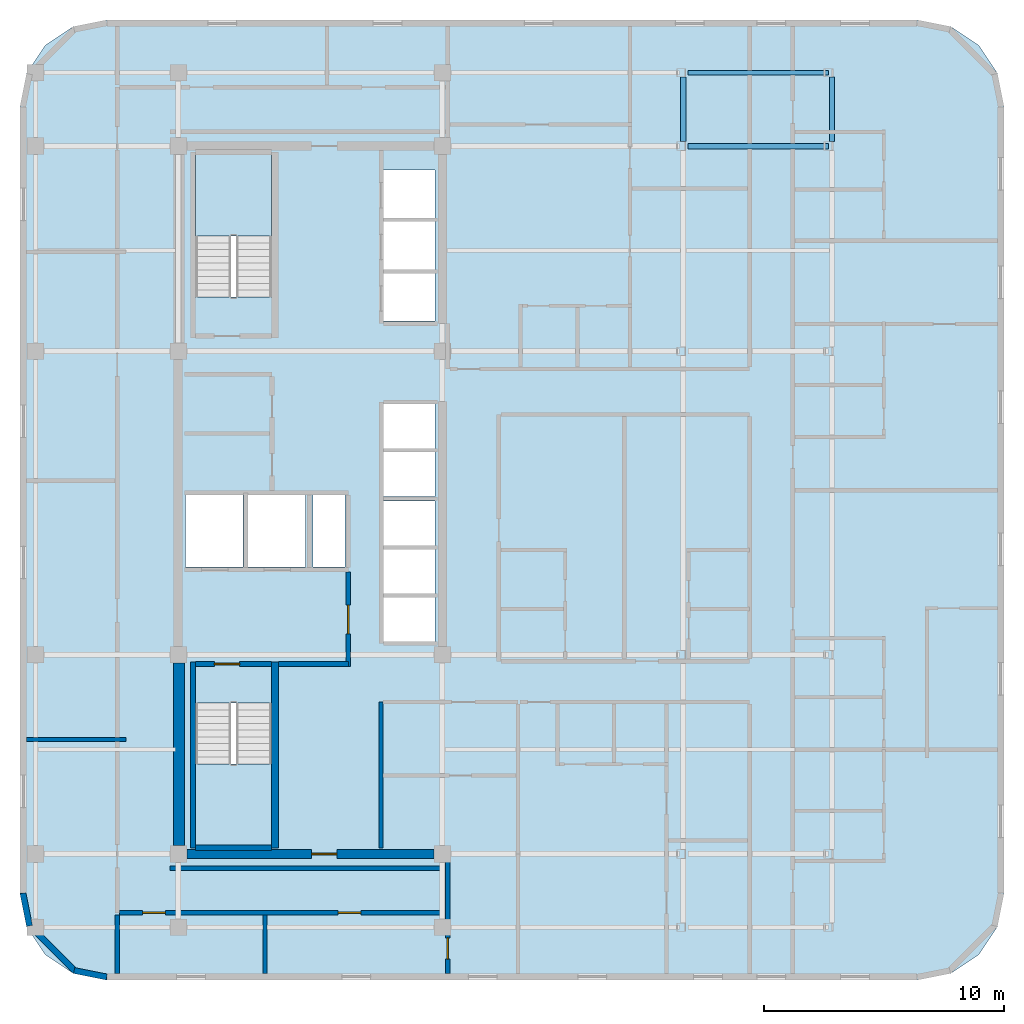
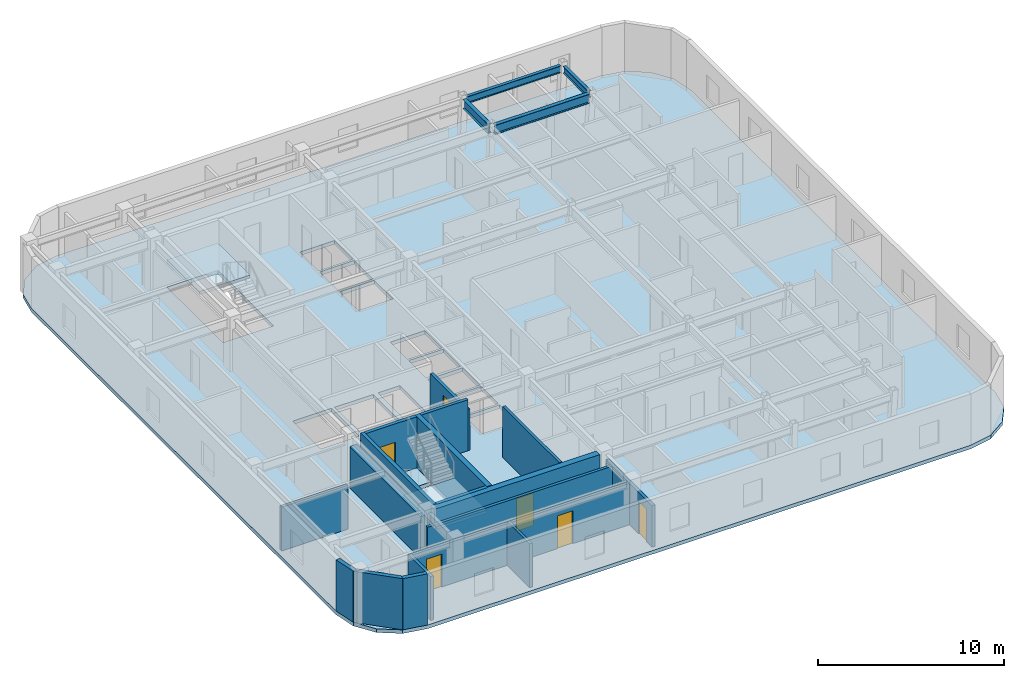
# One storey, part 2 of 8: 18 walls, 6 doors, 4 beams, 3 slabs, 6 openings, 2 elements without a shape of their own.
"""IFC4 building model written with IfcOpenShell, lengths in metres."""

from ifc_helpers import new_model, si_unit, direction, frame, frame_2d, origin, origin_2d, place, context, subcontext, project, spatial, polyline, rectangle, i_section, outline, extrude, material, layer, layer_set, material_profile, profile_set, type_object, element, fill, aggregate, save


model = new_model("IFC4")

# Units and contexts
model_context = context("Model", 3, precision=1e-05, world=origin(), true_north=direction((0.0, 1.0)))
body_context = subcontext(model_context, "Body", "Model", "MODEL_VIEW")
ifc_project = project(units=[si_unit("LENGTHUNIT", "METRE"), si_unit("AREAUNIT", "SQUARE_METRE"), si_unit("VOLUMEUNIT", "CUBIC_METRE"), si_unit("PLANEANGLEUNIT", "RADIAN"), si_unit("MASSUNIT", "GRAM", prefix="KILO")], contexts=[model_context])

# Site, building, storey
site_placement = place(None, origin())
site = spatial("IfcSite", under=ifc_project, at=site_placement, CompositionType="ELEMENT")
building_placement = place(site_placement, origin())
building = spatial("IfcBuilding", under=site, at=building_placement, Name="Ochreholt Gables", CompositionType="ELEMENT")
storey_placement = place(building_placement, frame((0.0, 0.0, 148.199951171875)))
storey = spatial("IfcBuildingStorey", under=building, at=storey_placement, Name="L38", CompositionType="ELEMENT", Elevation=148.199951171875)

# Beams
ifc_material_1 = material(Name="Steel CSA G40.21 350W", Category="steel")
ifc_material_profile_1 = material_profile(ifc_material_1, i_section(OverallWidth=0.22900390625, OverallDepth=0.612060546875, WebThickness=0.011962890625, FlangeThickness=0.01953125, at=origin_2d()), Name="W610X125")
ifc_profile_set_1 = profile_set([ifc_material_profile_1], Name="Steel CSA G40.21 350W")
beam_type_1 = type_object("IfcBeamType", Name="BM-G-W610B", PredefinedType="BEAM", material=ifc_profile_set_1)
beam_1_placement = place(storey_placement, frame((45.426513671875, 38.75, 3.053955078125), z_axis=(1.0, 0.0, 0.0), x_axis=(0.0, 1.0, 0.0)))
element("IfcBeam", 1, at=beam_1_placement, inside=storey, type_object=beam_type_1, Name="L38 Beam TBG-L38-EMEE-Y5", PredefinedType="BEAM", context=body_context, shape_type="SweptSolid", body=[
    extrude(i_section(OverallWidth=0.22900390625, OverallDepth=0.612060546875, WebThickness=0.011962890625, FlangeThickness=0.01953125, at=origin_2d()), origin(), (0.0, 0.0, 1.0), 5.857177734375),
])
beam_2_placement = place(storey_placement, frame((45.23193359375, 38.927490234375, 3.053955078125), z_axis=(0.0, 1.0, 0.0), x_axis=(-1.0, 0.0, 0.0)))
element("IfcBeam", 2, at=beam_2_placement, inside=storey, type_object=beam_type_1, Name="L38 Beam TBN-L38-EM-Y5Y6", PredefinedType="BEAM", context=body_context, shape_type="SweptSolid", body=[
    extrude(i_section(OverallWidth=0.22900390625, OverallDepth=0.612060546875, WebThickness=0.011962890625, FlangeThickness=0.01953125, at=origin_2d()), origin(), (0.0, 0.0, 1.0), 2.69482421875),
])
ifc_material_profile_2 = material_profile(ifc_material_1, i_section(OverallWidth=0.19189453125, OverallDepth=0.462890625, WebThickness=0.010498046875, FlangeThickness=0.017578125, at=origin_2d()), Name="W460X89")
ifc_profile_set_2 = profile_set([ifc_material_profile_2], Name="Steel CSA G40.21 350W")
beam_type_2 = type_object("IfcBeamType", Name="BM-SP-W460A", PredefinedType="SPANDREL", material=ifc_profile_set_2)
beam_3_placement = place(storey_placement, frame((45.426513671875, 41.800048828125, 3.128662109375), z_axis=(1.0, 0.0, 0.0), x_axis=(0.0, 1.0, 0.0)))
element("IfcBeam", 3, at=beam_3_placement, inside=storey, type_object=beam_type_2, Name="L38 Beam TBG-L38-EMEE-Y6", PredefinedType="SPANDREL", context=body_context, shape_type="SweptSolid", body=[
    extrude(i_section(OverallWidth=0.19189453125, OverallDepth=0.462890625, WebThickness=0.010498046875, FlangeThickness=0.017578125, at=origin_2d()), origin(), (0.0, 0.0, 1.0), 5.857177734375),
])
beam_4_placement = place(storey_placement, frame((51.432861328125, 38.927490234375, 3.128662109375), z_axis=(0.0, 1.0, 0.0), x_axis=(-1.0, 0.0, 0.0)))
element("IfcBeam", 4, at=beam_4_placement, inside=storey, type_object=beam_type_2, Name="L38 Beam TBN-L38-EE-Y5Y6", PredefinedType="SPANDREL", context=body_context, shape_type="SweptSolid", body=[
    extrude(i_section(OverallWidth=0.19189453125, OverallDepth=0.462890625, WebThickness=0.010498046875, FlangeThickness=0.017578125, at=origin_2d()), origin(), (0.0, 0.0, 1.0), 2.69482421875),
])

# Stair, slab
ifc_material_2 = material(Name="Concrete 40 MPa", Category="concrete")
stair_type_1 = type_object("IfcStairType", Name="STAIR-CORE-ST-1", PredefinedType="HALF_TURN_STAIR", material=ifc_material_2)
stair_1_placement = place(storey_placement, origin())
stair_1 = element("IfcStair", 5, at=stair_1_placement, inside=storey, type_object=stair_type_1, Name="L38 Core Exit Stair 1", PredefinedType="HALF_TURN_STAIR")
ifc_layer_1 = layer(ifc_material_2, 0.199951171875, Name="Concrete 40 MPa")
ifc_layer_set_1 = layer_set([ifc_layer_1], Name="Concrete 40 MPa")
slab_type_1 = type_object("IfcSlabType", Name="LANDING-RC200", PredefinedType="LANDING", material=ifc_layer_set_1)
slab_1_placement = place(storey_placement, frame((0.0, 0.0, 1.60009765625)))
slab_1 = element("IfcSlab", 6, at=slab_1_placement, type_object=slab_type_1, Name="ST-1 landing 1", PredefinedType="LANDING", context=body_context, shape_type="SweptSolid", body=[
    extrude(outline(polyline([(24.919921875, 13.001953125), (24.919921875, 9.52001953125), (28.080078125, 9.52001953125), (28.080078125, 13.001953125), (24.919921875, 13.001953125)])), origin(), (0.0, 0.0, 1.0), 0.199951171875),
])
aggregate(stair_1, [slab_1])

stair_type_2 = type_object("IfcStairType", Name="STAIR-CORE-ST-2", PredefinedType="HALF_TURN_STAIR", material=ifc_material_2)
stair_2_placement = place(storey_placement, origin())
stair_2 = element("IfcStair", 7, at=stair_2_placement, inside=storey, type_object=stair_type_2, Name="L38 Core Exit Stair 2", PredefinedType="HALF_TURN_STAIR")
slab_2_placement = place(storey_placement, frame((0.0, 0.0, 1.60009765625)))
slab_2 = element("IfcSlab", 8, at=slab_2_placement, type_object=slab_type_1, Name="ST-2 landing 1", PredefinedType="LANDING", context=body_context, shape_type="SweptSolid", body=[
    extrude(outline(polyline([(28.080078125, 34.998046875), (28.080078125, 38.47998046875), (24.919921875, 38.47998046875), (24.919921875, 34.998046875), (28.080078125, 34.998046875)])), origin(), (0.0, 0.0, 1.0), 0.199951171875),
])
aggregate(stair_2, [slab_2])

# Slab
ifc_layer_2 = layer(ifc_material_2, 0.239990234375, Name="Concrete 40 MPa")
ifc_layer_set_2 = layer_set([ifc_layer_2], Name="Concrete 40 MPa")
slab_type_2 = type_object("IfcSlabType", Name="SLAB-TWR-240", PredefinedType="FLOOR", material=ifc_layer_set_2)
slab_3_placement = place(storey_placement, frame((0.0, 0.0, -0.239990234375)))
element("IfcSlab", 9, at=slab_3_placement, inside=storey, type_object=slab_type_2, Name="L38 Structural Floor Slab", PredefinedType="FLOOR", context=body_context, shape_type="SweptSolid", body=[
    extrude(outline(polyline([(17.60009765625, 7.60009765625), (17.8740234375, 6.222412109375), (18.654296875, 5.054443359375), (19.822265625, 4.27392578125), (21.199951171875, 4.0), (55.0, 4.0), (56.377685546875, 4.27392578125), (57.545654296875, 5.054443359375), (58.325927734375, 6.222412109375), (58.60009765625, 7.60009765625), (58.60009765625, 40.39990234375), (58.325927734375, 41.777587890625), (57.545654296875, 42.945556640625), (56.377685546875, 43.72607421875), (55.0, 44.0), (21.199951171875, 44.0), (19.822265625, 43.72607421875), (18.654296875, 42.945556640625), (17.8740234375, 41.777587890625), (17.60009765625, 40.39990234375), (17.60009765625, 7.60009765625)]), holes=[polyline([(24.919921875, 15.539306640625), (24.919921875, 9.52001953125), (28.080078125, 9.52001953125), (28.080078125, 15.539306640625), (24.919921875, 15.539306640625)]), polyline([(28.080078125, 32.460693359375), (28.080078125, 38.47998046875), (24.919921875, 38.47998046875), (24.919921875, 32.460693359375), (28.080078125, 32.460693359375)]), polyline([(24.5, 21.199951171875), (26.89990234375, 21.199951171875), (26.89990234375, 24.199951171875), (24.5, 24.199951171875), (24.5, 21.199951171875)]), polyline([(27.10009765625, 21.199951171875), (29.5, 21.199951171875), (29.5, 24.199951171875), (27.10009765625, 24.199951171875), (27.10009765625, 21.199951171875)]), polyline([(32.75, 18.10009765625), (34.89990234375, 18.10009765625), (34.89990234375, 19.949951171875), (32.75, 19.949951171875), (32.75, 18.10009765625)]), polyline([(32.75, 20.10009765625), (34.89990234375, 20.10009765625), (34.89990234375, 21.949951171875), (32.75, 21.949951171875), (32.75, 20.10009765625)]), polyline([(32.75, 22.10009765625), (34.89990234375, 22.10009765625), (34.89990234375, 23.949951171875), (32.75, 23.949951171875), (32.75, 22.10009765625)]), polyline([(32.75, 24.14990234375), (34.89990234375, 24.14990234375), (34.89990234375, 26.0), (32.75, 26.0), (32.75, 24.14990234375)]), polyline([(32.75, 26.14990234375), (34.89990234375, 26.14990234375), (34.89990234375, 28.0), (32.75, 28.0), (32.75, 26.14990234375)]), polyline([(32.75, 31.449951171875), (34.89990234375, 31.449951171875), (34.89990234375, 33.449951171875), (32.75, 33.449951171875), (32.75, 31.449951171875)]), polyline([(32.75, 33.60009765625), (34.89990234375, 33.60009765625), (34.89990234375, 35.60009765625), (32.75, 35.60009765625), (32.75, 33.60009765625)]), polyline([(32.75, 35.75), (34.89990234375, 35.75), (34.89990234375, 37.75), (32.75, 37.75), (32.75, 35.75)]), polyline([(29.800048828125, 21.199951171875), (31.14990234375, 21.199951171875), (31.14990234375, 24.199951171875), (29.800048828125, 24.199951171875), (29.800048828125, 21.199951171875)])]), origin(), (0.0, 0.0, 1.0), 0.239990234375),
])

# Wall, opening, door
ifc_material_3 = material(Name="Concrete 50 MPa", Category="concrete")
ifc_layer_3 = layer(ifc_material_3, 0.3798828125, Name="Concrete 50 MPa")
ifc_layer_set_3 = layer_set([ifc_layer_3], Name="Concrete 50 MPa")
wall_type_1 = type_object("IfcWallType", Name="WALL-CSW-380", PredefinedType="SHEAR", material=ifc_layer_set_3)
wall_1_placement = place(storey_placement, frame((24.550048828125, 9.25, 0.0), z_axis=(0.0, 0.0, 1.0), x_axis=(1.0, 0.0, 0.0)))
wall_1 = element("IfcWall", 10, at=wall_1_placement, inside=storey, type_object=wall_type_1, Name="L38 Core South Shear Wall", PredefinedType="SHEAR", context=body_context, shape_type="SweptSolid", body=[
    extrude(rectangle(XDim=10.300048828125, YDim=0.3798828125, at=frame_2d((5.14990234375, 0.0))), origin(), (0.0, 0.0, 1.0), 3.360107421875),
])
opening_1_placement = place(wall_1_placement, frame((5.199951171875, 0.0, 0.0)))
opening_1 = element("IfcOpeningElement", 11, at=opening_1_placement, cuts=wall_1, Name="Opening D-FLB", PredefinedType="OPENING", context=body_context, shape_type="SweptSolid", body=[
    extrude(rectangle(XDim=1.050048828125, YDim=2.14990234375, at=frame_2d((0.52490234375, 1.074951171875))), frame((0.0, 0.199951171875, 0.0), z_axis=(0.0, -1.0, 0.0), x_axis=(1.0, 0.0, 0.0)), (0.0, 0.0, 1.0), 0.39990234375),
])
ifc_material_4 = material(Name="Hollow Metal Steel", Category="steel")
door_type_1 = type_object("IfcDoorType", Name="DR-INT-FLB1050", OperationType="NOTDEFINED", PredefinedType="DOOR", material=ifc_material_4)
door_1_placement = place(opening_1_placement, origin())
door_1 = element("IfcDoor", 12, at=door_1_placement, inside=storey, type_object=door_type_1, Name="L38 Door D-C2CRS-L38", OperationType="SINGLE_SWING_LEFT", OverallHeight=2.14990234375, OverallWidth=1.050048828125, PredefinedType="DOOR", context=body_context, shape_type="SweptSolid", body=[
    extrude(rectangle(XDim=1.050048828125, YDim=2.14990234375, at=frame_2d((0.52490234375, 1.074951171875))), frame((0.0, 0.02490234375, 0.0), z_axis=(0.0, -1.0, 0.0), x_axis=(1.0, 0.0, 0.0)), (0.0, 0.0, 1.0), 0.050048828125),
])
fill(opening_1, door_1)

# Walls
ifc_material_5 = material(Name="Concrete 60 MPa", Category="concrete")
ifc_layer_4 = layer(ifc_material_5, 0.449951171875, Name="Concrete 60 MPa")
ifc_layer_set_4 = layer_set([ifc_layer_4], Name="Concrete 60 MPa")
wall_type_2 = type_object("IfcWallType", Name="WALL-CSW-450", PredefinedType="SHEAR", material=ifc_layer_set_4)
wall_2_placement = place(storey_placement, frame((24.22509765625, 9.60009765625, 0.0), z_axis=(0.0, 0.0, 1.0), x_axis=(0.0, 1.0, 0.0)))
element("IfcWall", 13, at=wall_2_placement, inside=storey, type_object=wall_type_2, Name="L38 Core West Shear Wall WS", PredefinedType="SHEAR", context=body_context, shape_type="SweptSolid", body=[
    extrude(rectangle(XDim=7.599853515625, YDim=0.449951171875, at=frame_2d((3.7998046875, 0.0))), origin(), (0.0, 0.0, 1.0), 2.748046875),
])
ifc_material_6 = material(Name="Precast concrete 40 MPa", Category="concrete")
ifc_layer_5 = layer(ifc_material_6, 0.25, Name="Precast concrete 40 MPa")
ifc_layer_set_5 = layer_set([ifc_layer_5], Name="Precast concrete 40 MPa")
wall_type_3 = type_object("IfcWallType", Name="WALL-EXT-CNR", PredefinedType="SOLIDWALL", material=ifc_layer_set_5)
wall_3_placement = place(storey_placement, frame((17.72412109375, 7.616455078125, 0.0), z_axis=(0.0, 0.0, 1.0), x_axis=(0.195135625965, -0.9807762678, 0.0)))
element("IfcWall", 14, at=wall_3_placement, inside=storey, type_object=wall_type_3, Name="L38 Rounded Corner Wall SW-1", PredefinedType="SOLIDWALL", context=body_context, shape_type="SweptSolid", body=[
    extrude(rectangle(XDim=1.388671875, YDim=0.25, at=frame_2d((0.6943359375, 0.0))), origin(), (0.0, 0.0, 1.0), 3.360107421875),
])
wall_4_placement = place(storey_placement, frame((17.968017578125, 6.304931640625, 0.0), z_axis=(0.0, 0.0, 1.0), x_axis=(0.707106781187, -0.707106781187, 0.0)))
element("IfcWall", 15, at=wall_4_placement, inside=storey, type_object=wall_type_3, Name="L38 Rounded Corner Wall SW-2", PredefinedType="SOLIDWALL", context=body_context, shape_type="SweptSolid", body=[
    extrude(rectangle(XDim=2.7392578125, YDim=0.25, at=frame_2d((1.36962890625, 0.0))), origin(), (0.0, 0.0, 1.0), 3.360107421875),
])
wall_5_placement = place(storey_placement, frame((19.8544921875, 4.39501953125, 0.0), z_axis=(0.0, 0.0, 1.0), x_axis=(0.980809899341, -0.19496651342, 0.0)))
element("IfcWall", 16, at=wall_5_placement, inside=storey, type_object=wall_type_3, Name="L38 Rounded Corner Wall SW-3", PredefinedType="SOLIDWALL", context=body_context, shape_type="SweptSolid", body=[
    extrude(rectangle(XDim=1.388671875, YDim=0.25, at=frame_2d((0.6943359375, 0.0))), origin(), (0.0, 0.0, 1.0), 3.360107421875),
])
ifc_layer_6 = layer(ifc_material_2, 0.199951171875, Name="Concrete 40 MPa")
ifc_layer_set_6 = layer_set([ifc_layer_6], Name="Concrete 40 MPa")
wall_type_4 = type_object("IfcWallType", Name="WALL-INT-CF200", PredefinedType="STANDARD", material=ifc_layer_set_6)
wall_6_placement = place(storey_placement, frame((28.3798828125, 17.169921875, 0.0), z_axis=(0.0, 0.0, 1.0), x_axis=(1.0, 0.0, 0.0)))
element("IfcWall", 17, at=wall_6_placement, inside=storey, type_object=wall_type_4, Name="L38 Interior Wall WI-FFS-L38", PredefinedType="STANDARD", context=body_context, shape_type="SweptSolid", body=[
    extrude(rectangle(XDim=2.900146484375, YDim=0.199951171875, at=frame_2d((1.4501953125, 0.0))), origin(), (0.0, 0.0, 1.0), 3.360107421875),
])

# Wall, opening, door
wall_7_placement = place(storey_placement, frame((31.280029296875, 17.070068359375, 0.0), z_axis=(0.0, 0.0, 1.0), x_axis=(0.0, 1.0, 0.0)))
wall_7 = element("IfcWall", 18, at=wall_7_placement, inside=storey, type_object=wall_type_4, Name="L38 Interior Wall WI-FFE-L38", PredefinedType="STANDARD", context=body_context, shape_type="SweptSolid", body=[
    extrude(rectangle(XDim=3.919921875, YDim=0.199951171875, at=frame_2d((1.9599609375, 0.0))), origin(), (0.0, 0.0, 1.0), 2.72998046875),
])
opening_2_placement = place(wall_7_placement, frame((1.35009765625, 0.0, 0.0)))
opening_2 = element("IfcOpeningElement", 19, at=opening_2_placement, cuts=wall_7, Name="Opening D-FFL", PredefinedType="OPENING", context=body_context, shape_type="SweptSolid", body=[
    extrude(rectangle(XDim=1.199951171875, YDim=2.14990234375, at=frame_2d((0.60009765625, 1.074951171875))), frame((0.0, 0.10986328125, 0.0), z_axis=(0.0, -1.0, 0.0), x_axis=(1.0, 0.0, 0.0)), (0.0, 0.0, 1.0), 0.219970703125),
])
door_type_2 = type_object("IfcDoorType", Name="DR-INT-FFL1200", OperationType="NOTDEFINED", PredefinedType="DOOR", material=ifc_material_4)
door_2_placement = place(opening_2_placement, origin())
door_2 = element("IfcDoor", 20, at=door_2_placement, inside=storey, type_object=door_type_2, Name="L38 Door D-FFL-L38", OperationType="SINGLE_SWING_LEFT", OverallHeight=2.14990234375, OverallWidth=1.199951171875, PredefinedType="DOOR", context=body_context, shape_type="SweptSolid", body=[
    extrude(rectangle(XDim=1.199951171875, YDim=2.14990234375, at=frame_2d((0.60009765625, 1.074951171875))), frame((0.0, 0.02490234375, 0.0), z_axis=(0.0, -1.0, 0.0), x_axis=(1.0, 0.0, 0.0)), (0.0, 0.0, 1.0), 0.050048828125),
])
fill(opening_2, door_2)

# Wall, openings, doors
ifc_material_7 = material(Name="Fire-Rated Gypsum Acoustic Partition", Category="gypsum")
ifc_layer_7 = layer(ifc_material_7, 0.179931640625, Name="Fire-Rated Gypsum Acoustic Partition")
ifc_layer_set_7 = layer_set([ifc_layer_7], Name="Fire-Rated Gypsum Acoustic Partition")
wall_type_5 = type_object("IfcWallType", Name="WALL-INT-CR180", PredefinedType="STANDARD", material=ifc_layer_set_7)
wall_8_placement = place(storey_placement, frame((21.739990234375, 6.800048828125, 0.0), z_axis=(0.0, 0.0, 1.0), x_axis=(1.0, 0.0, 0.0)))
wall_8 = element("IfcWall", 21, at=wall_8_placement, inside=storey, type_object=wall_type_5, Name="L38 Interior Wall WI-C2WCS-L38", PredefinedType="STANDARD", context=body_context, shape_type="SweptSolid", body=[
    extrude(rectangle(XDim=13.679931640625, YDim=0.179931640625, at=frame_2d((6.83984375, 0.0))), origin(), (0.0, 0.0, 1.0), 2.72998046875),
])
opening_3_placement = place(wall_8_placement, frame((0.969970703125, 0.0, 0.0)))
opening_3 = element("IfcOpeningElement", 22, at=opening_3_placement, cuts=wall_8, Name="Opening D-GN1", PredefinedType="OPENING", context=body_context, shape_type="SweptSolid", body=[
    extrude(rectangle(XDim=0.949951171875, YDim=2.14990234375, at=frame_2d((0.47509765625, 1.074951171875))), frame((0.0, 0.099853515625, 0.0), z_axis=(0.0, -1.0, 0.0), x_axis=(1.0, 0.0, 0.0)), (0.0, 0.0, 1.0), 0.199951171875),
])
opening_4_placement = place(wall_8_placement, frame((9.110107421875, 0.0, 0.0)))
opening_4 = element("IfcOpeningElement", 23, at=opening_4_placement, cuts=wall_8, Name="Opening D-GN1", PredefinedType="OPENING", context=body_context, shape_type="SweptSolid", body=[
    extrude(rectangle(XDim=0.949951171875, YDim=2.14990234375, at=frame_2d((0.47509765625, 1.074951171875))), frame((0.0, 0.099853515625, 0.0), z_axis=(0.0, -1.0, 0.0), x_axis=(1.0, 0.0, 0.0)), (0.0, 0.0, 1.0), 0.199951171875),
])
ifc_material_8 = material(Name="Engineered Oak Timber", Category="wood")
door_type_3 = type_object("IfcDoorType", Name="DR-INT-GEN950", OperationType="NOTDEFINED", PredefinedType="DOOR", material=ifc_material_8)
door_3_placement = place(opening_3_placement, origin())
door_3 = element("IfcDoor", 24, at=door_3_placement, inside=storey, type_object=door_type_3, Name="L38 Door D-C2STL1-L38", OperationType="SINGLE_SWING_LEFT", OverallHeight=2.14990234375, OverallWidth=0.949951171875, PredefinedType="DOOR", context=body_context, shape_type="SweptSolid", body=[
    extrude(rectangle(XDim=0.949951171875, YDim=2.14990234375, at=frame_2d((0.47509765625, 1.074951171875))), frame((0.0, 0.02490234375, 0.0), z_axis=(0.0, -1.0, 0.0), x_axis=(1.0, 0.0, 0.0)), (0.0, 0.0, 1.0), 0.050048828125),
])
fill(opening_3, door_3)
door_4_placement = place(opening_4_placement, origin())
door_4 = element("IfcDoor", 25, at=door_4_placement, inside=storey, type_object=door_type_3, Name="L38 Door D-C2STL2-L38", OperationType="SINGLE_SWING_RIGHT", OverallHeight=2.14990234375, OverallWidth=0.949951171875, PredefinedType="DOOR", context=body_context, shape_type="SweptSolid", body=[
    extrude(rectangle(XDim=0.949951171875, YDim=2.14990234375, at=frame_2d((0.47509765625, 1.074951171875))), frame((0.0, 0.02490234375, 0.0), z_axis=(0.0, -1.0, 0.0), x_axis=(1.0, 0.0, 0.0)), (0.0, 0.0, 1.0), 0.050048828125),
])
fill(opening_4, door_4)

# Walls
wall_9_placement = place(storey_placement, frame((23.85009765625, 8.64990234375, 0.0), z_axis=(0.0, 0.0, 1.0), x_axis=(1.0, 0.0, 0.0)))
element("IfcWall", 26, at=wall_9_placement, inside=storey, type_object=wall_type_5, Name="L38 Interior Wall WI-C2WCS2-L38", PredefinedType="STANDARD", context=body_context, shape_type="SweptSolid", body=[
    extrude(rectangle(XDim=11.56982421875, YDim=0.179931640625, at=frame_2d((5.784912109375, 0.0))), origin(), (0.0, 0.0, 1.0), 2.72998046875),
])
ifc_material_9 = material(Name="Double-Stud Acoustic Demising Wall", Category="gypsum")
ifc_layer_8 = layer(ifc_material_9, 0.179931640625, Name="Double-Stud Acoustic Demising Wall")
ifc_layer_set_8 = layer_set([ifc_layer_8], Name="Double-Stud Acoustic Demising Wall")
wall_type_6 = type_object("IfcWallType", Name="WALL-INT-DM180", PredefinedType="PARTITIONING", material=ifc_layer_set_8)
wall_10_placement = place(storey_placement, frame((21.64990234375, 4.280029296875, 0.0), z_axis=(0.0, 0.0, 1.0), x_axis=(0.0, 1.0, 0.0)))
element("IfcWall", 27, at=wall_10_placement, inside=storey, type_object=wall_type_6, Name="L38 Interior Wall WI-C2WWS-L38", PredefinedType="PARTITIONING", context=body_context, shape_type="SweptSolid", body=[
    extrude(rectangle(XDim=2.429931640625, YDim=0.179931640625, at=frame_2d((1.21484375, 0.0))), origin(), (0.0, 0.0, 1.0), 2.879150390625),
])

# Wall, opening, door
wall_11_placement = place(storey_placement, frame((35.419921875, 4.280029296875, 0.0), z_axis=(0.0, 0.0, 1.0), x_axis=(0.0, 1.0, 0.0)))
wall_11 = element("IfcWall", 28, at=wall_11_placement, inside=storey, type_object=wall_type_6, Name="L38 Interior Wall WI-C2SES-L38", PredefinedType="PARTITIONING", context=body_context, shape_type="SweptSolid", body=[
    extrude(rectangle(XDim=4.969970703125, YDim=0.179931640625, at=frame_2d((2.48486328125, 0.0))), origin(), (0.0, 0.0, 1.0), 2.72998046875),
])
opening_5_placement = place(wall_11_placement, frame((0.590087890625, 0.0, 0.0)))
opening_5 = element("IfcOpeningElement", 29, at=opening_5_placement, cuts=wall_11, Name="Opening D-GN2", PredefinedType="OPENING", context=body_context, shape_type="SweptSolid", body=[
    extrude(rectangle(XDim=0.8798828125, YDim=2.1201171875, at=frame_2d((0.43994140625, 1.06005859375))), frame((0.0, 0.099853515625, 0.0), z_axis=(0.0, -1.0, 0.0), x_axis=(1.0, 0.0, 0.0)), (0.0, 0.0, 1.0), 0.199951171875),
])
door_type_4 = type_object("IfcDoorType", Name="DR-INT-GEN880", OperationType="NOTDEFINED", PredefinedType="DOOR", material=ifc_material_8)
door_5_placement = place(opening_5_placement, origin())
door_5 = element("IfcDoor", 30, at=door_5_placement, inside=storey, type_object=door_type_4, Name="L38 Door D-C2SPS-L38", OperationType="SINGLE_SWING_LEFT", OverallHeight=2.1201171875, OverallWidth=0.8798828125, PredefinedType="DOOR", context=body_context, shape_type="SweptSolid", body=[
    extrude(rectangle(XDim=0.8798828125, YDim=2.1201171875, at=frame_2d((0.43994140625, 1.06005859375))), frame((0.0, 0.02490234375, 0.0), z_axis=(0.0, -1.0, 0.0), x_axis=(1.0, 0.0, 0.0)), (0.0, 0.0, 1.0), 0.050048828125),
])
fill(opening_5, door_5)

# Walls
ifc_material_10 = material(Name="Gypsum Acoustic Stud Partition", Category="gypsum")
ifc_layer_9 = layer(ifc_material_10, 0.1650390625, Name="Gypsum Acoustic Stud Partition")
ifc_layer_set_9 = layer_set([ifc_layer_9], Name="Gypsum Acoustic Stud Partition")
wall_type_7 = type_object("IfcWallType", Name="WALL-INT-PT165", PredefinedType="PARTITIONING", material=ifc_layer_set_9)
wall_12_placement = place(storey_placement, frame((32.64990234375, 9.5, 0.0), z_axis=(0.0, 0.0, 1.0), x_axis=(0.0, 1.0, 0.0)))
element("IfcWall", 31, at=wall_12_placement, inside=storey, type_object=wall_type_7, Name="L38 Interior Wall WI-RCL-W-L38", PredefinedType="PARTITIONING", context=body_context, shape_type="SweptSolid", body=[
    extrude(rectangle(XDim=6.080078125, YDim=0.1650390625, at=frame_2d((3.0400390625, 0.0))), origin(), (0.0, 0.0, 1.0), 3.360107421875),
])
wall_13_placement = place(storey_placement, frame((17.8798828125, 14.02490234375, 0.0), z_axis=(0.0, 0.0, 1.0), x_axis=(1.0, 0.0, 0.0)))
element("IfcWall", 32, at=wall_13_placement, inside=storey, type_object=wall_type_7, Name="L38 Interior Wall WU-L38W1-SDV", PredefinedType="PARTITIONING", context=body_context, shape_type="SweptSolid", body=[
    extrude(rectangle(XDim=4.130126953125, YDim=0.1650390625, at=frame_2d((2.06494140625, 0.0))), origin(), (0.0, 0.0, 1.0), 2.879150390625),
])
wall_14_placement = place(storey_placement, frame((27.800048828125, 4.280029296875, 0.0), z_axis=(0.0, 0.0, 1.0), x_axis=(0.0, 1.0, 0.0)))
element("IfcWall", 33, at=wall_14_placement, inside=storey, type_object=wall_type_7, Name="L38 Interior Wall WI-C2PKS-L38", PredefinedType="PARTITIONING", context=body_context, shape_type="SweptSolid", body=[
    extrude(rectangle(XDim=2.429931640625, YDim=0.1650390625, at=frame_2d((1.21484375, 0.0))), origin(), (0.0, 0.0, 1.0), 2.879150390625),
])
ifc_layer_10 = layer(ifc_material_5, 0.300048828125, Name="Concrete 60 MPa")
ifc_layer_set_10 = layer_set([ifc_layer_10], Name="Concrete 60 MPa")
wall_type_8 = type_object("IfcWallType", Name="WALL-SPN-300", PredefinedType="SHEAR", material=ifc_layer_set_10)
wall_15_placement = place(storey_placement, frame((28.22998046875, 9.5, 0.0), z_axis=(0.0, 0.0, 1.0), x_axis=(0.0, 1.0, 0.0)))
element("IfcWall", 34, at=wall_15_placement, inside=storey, type_object=wall_type_8, Name="L38 Core South Spine Shear Wall", PredefinedType="SHEAR", context=body_context, shape_type="SweptSolid", body=[
    extrude(rectangle(XDim=7.760009765625, YDim=0.300048828125, at=frame_2d((3.8798828125, 0.0))), origin(), (0.0, 0.0, 1.0), 3.360107421875),
])
ifc_layer_11 = layer(ifc_material_3, 0.219970703125, Name="Concrete 50 MPa")
ifc_layer_set_11 = layer_set([ifc_layer_11], Name="Concrete 50 MPa")
wall_type_9 = type_object("IfcWallType", Name="WALL-STW-220", PredefinedType="SHEAR", material=ifc_layer_set_11)
wall_16_placement = place(storey_placement, frame((24.81005859375, 9.5, 0.0), z_axis=(0.0, 0.0, 1.0), x_axis=(0.0, 1.0, 0.0)))
element("IfcWall", 35, at=wall_16_placement, inside=storey, type_object=wall_type_9, Name="L38 Exit Stair 1 West Wall", PredefinedType="SHEAR", context=body_context, shape_type="SweptSolid", body=[
    extrude(rectangle(XDim=7.760009765625, YDim=0.219970703125, at=frame_2d((3.8798828125, 0.0))), origin(), (0.0, 0.0, 1.0), 3.360107421875),
])
wall_17_placement = place(storey_placement, frame((24.919921875, 9.510009765625, 0.0), z_axis=(0.0, 0.0, 1.0), x_axis=(1.0, 0.0, 0.0)))
element("IfcWall", 36, at=wall_17_placement, inside=storey, type_object=wall_type_9, Name="L38 Exit Stair 1 South Wall", PredefinedType="SHEAR", context=body_context, shape_type="SweptSolid", body=[
    extrude(rectangle(XDim=3.16015625, YDim=0.219970703125, at=frame_2d((1.580078125, 0.0))), origin(), (0.0, 0.0, 1.0), 3.360107421875),
])

# Wall, opening, door
wall_18_placement = place(storey_placement, frame((24.919921875, 17.169921875, 0.0), z_axis=(0.0, 0.0, 1.0), x_axis=(1.0, 0.0, 0.0)))
wall_18 = element("IfcWall", 37, at=wall_18_placement, inside=storey, type_object=wall_type_9, Name="L38 Exit Stair 1 North Wall", PredefinedType="SHEAR", context=body_context, shape_type="SweptSolid", body=[
    extrude(rectangle(XDim=3.16015625, YDim=0.219970703125, at=frame_2d((1.580078125, 0.0))), origin(), (0.0, 0.0, 1.0), 3.360107421875),
])
opening_6_placement = place(wall_18_placement, frame((0.780029296875, 0.0, 0.0)))
opening_6 = element("IfcOpeningElement", 38, at=opening_6_placement, cuts=wall_18, Name="Opening D-STC", PredefinedType="OPENING", context=body_context, shape_type="SweptSolid", body=[
    extrude(rectangle(XDim=1.050048828125, YDim=2.14990234375, at=frame_2d((0.52490234375, 1.074951171875))), frame((0.0, 0.119873046875, 0.0), z_axis=(0.0, -1.0, 0.0), x_axis=(1.0, 0.0, 0.0)), (0.0, 0.0, 1.0), 0.239990234375),
])
door_type_5 = type_object("IfcDoorType", Name="DR-INT-ST1050", OperationType="NOTDEFINED", PredefinedType="DOOR", material=ifc_material_4)
door_6_placement = place(opening_6_placement, frame((1.050048828125, 0.0, 0.0), z_axis=(0.0, 0.0, 1.0), x_axis=(-1.0, 0.0, 0.0)))
door_6 = element("IfcDoor", 39, at=door_6_placement, inside=storey, type_object=door_type_5, Name="L38 Door D-ST1-L38", OperationType="SINGLE_SWING_LEFT", OverallHeight=2.14990234375, OverallWidth=1.050048828125, PredefinedType="DOOR", context=body_context, shape_type="SweptSolid", body=[
    extrude(rectangle(XDim=1.050048828125, YDim=2.14990234375, at=frame_2d((0.52490234375, 1.074951171875))), frame((0.0, 0.02490234375, 0.0), z_axis=(0.0, -1.0, 0.0), x_axis=(1.0, 0.0, 0.0)), (0.0, 0.0, 1.0), 0.050048828125),
])
fill(opening_6, door_6)

save(model, "model.ifc")
